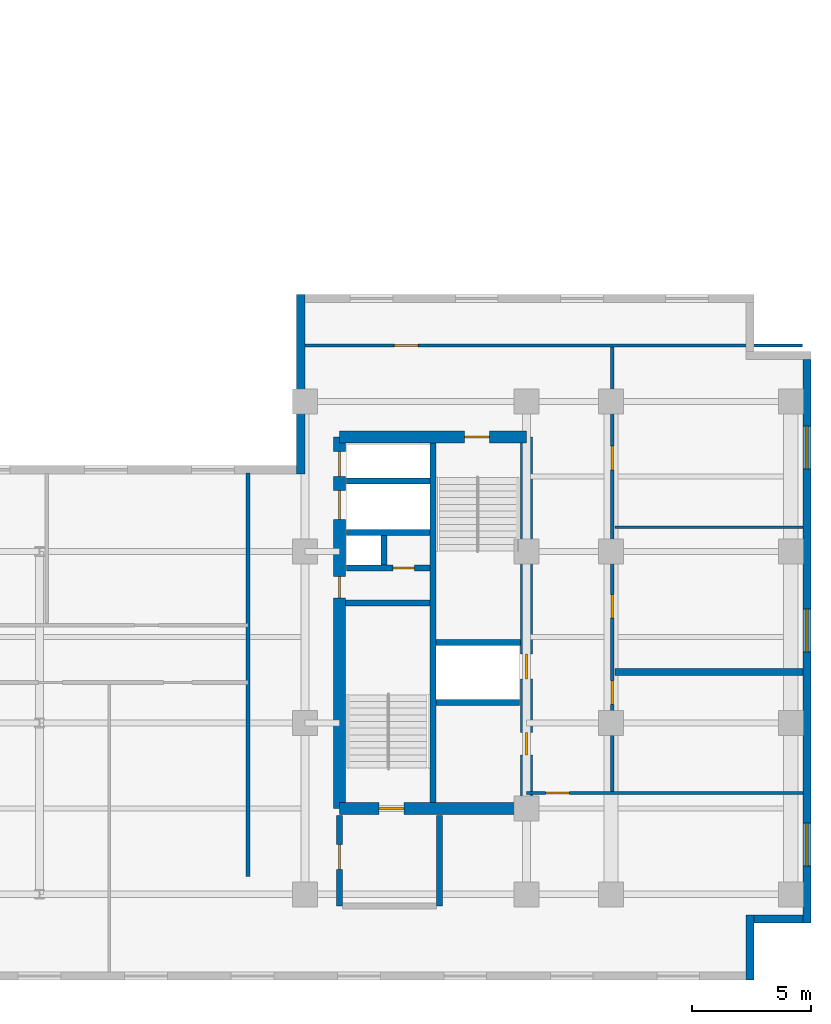
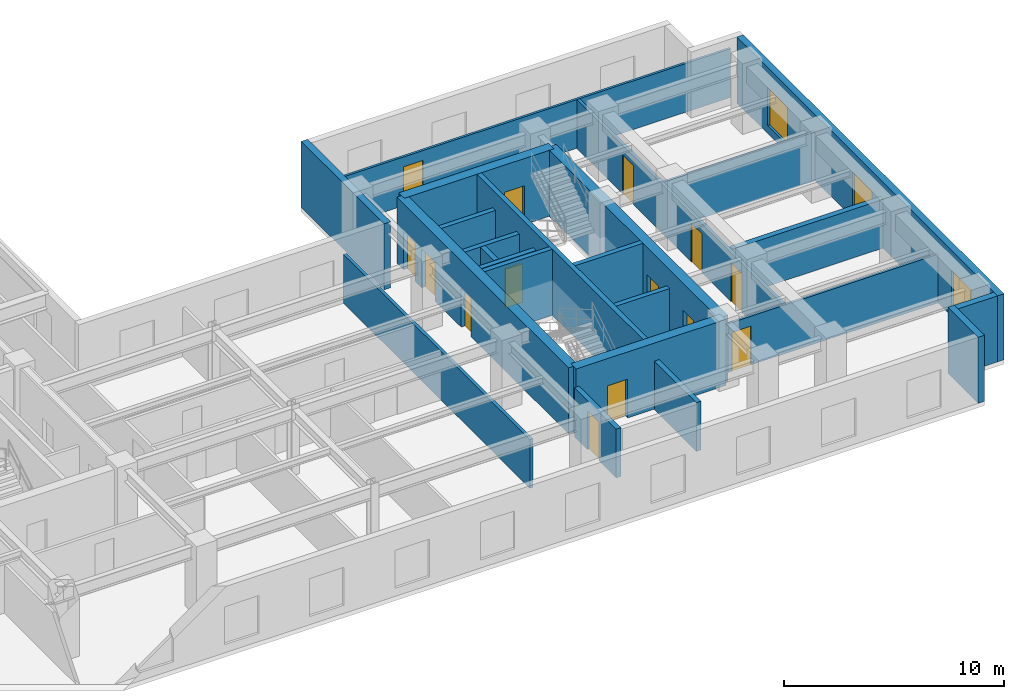
# One storey, part 5 of 10: 24 walls, 14 doors, 3 windows, 17 openings.
"""IFC4 building model written with IfcOpenShell, lengths in metres."""

from ifc_helpers import new_model, entity, si_unit, converted_unit, direction, frame, origin_with_axes, origin_2d_with_axis, place, context, subcontext, project, spatial, polyline, rectangle, outline, extrude, material, layer, layer_set, type_object, element, fill, save


model = new_model("IFC4")

# Units and contexts
model_context = context("Model", 3, precision=1e-05, world=origin_with_axes(), true_north=direction((0.0, 1.0)))
body_context = subcontext(model_context, "Body", "Model", "MODEL_VIEW")
ifc_project = project(units=[si_unit("LENGTHUNIT", "METRE"), si_unit("AREAUNIT", "SQUARE_METRE"), si_unit("VOLUMEUNIT", "CUBIC_METRE"), converted_unit("PLANEANGLEUNIT", "DEGREE", entity("IfcPlaneAngleMeasure", 0.017453292519943295), si_unit("PLANEANGLEUNIT", "RADIAN"), dimensions=[0, 0, 0, 0, 0, 0, 0]), si_unit("MASSUNIT", "GRAM", prefix="KILO"), si_unit("THERMODYNAMICTEMPERATUREUNIT", "KELVIN")], contexts=[model_context])

# Site, building, storey
site_placement = place(None, origin_with_axes())
site = spatial("IfcSite", under=ifc_project, at=site_placement, CompositionType="ELEMENT")
building_placement = place(site_placement, origin_with_axes())
building = spatial("IfcBuilding", under=site, at=building_placement, Name="Varnlund Millrace Tower", CompositionType="ELEMENT")
storey_placement = place(building_placement, frame((0.0, 0.0, 152.4), z_axis=(0.0, 0.0, 1.0), x_axis=(1.0, 0.0, 0.0)))
storey = spatial("IfcBuildingStorey", under=building, at=storey_placement, Name="L37", CompositionType="ELEMENT", Elevation=152.4)

# Wall, openings, doors
ifc_material_1 = material(Name="Concrete C70/85", Category="concrete")
ifc_layer_1 = layer(ifc_material_1, 0.5, Name="Concrete C70/85")
ifc_layer_set_1 = layer_set([ifc_layer_1], Name="Concrete C70/85")
wall_type_1 = type_object("IfcWallType", Name="Type-CoreWall-Shear-500-C70", PredefinedType="SHEAR", material=ifc_layer_set_1)
wall_1_placement = place(storey_placement, frame((40.2, 7.2, 0.0), z_axis=(0.0, 0.0, 1.0), x_axis=(0.0, 1.0, 0.0)))
wall_1 = element("IfcWall", 1, at=wall_1_placement, inside=storey, type_object=wall_type_1, Name="Type-CoreWall-Shear-500-C70", PredefinedType="SHEAR", context=body_context, shape_type="SweptSolid", body=[
    extrude(outline(polyline([(0.0, -0.25), (15.6, -0.25), (15.6, 0.25), (0.0, 0.25), (0.0, -0.25)])), origin_with_axes(), (0.0, 0.0, 1.0), 3.66),
])
opening_1_placement = place(wall_1_placement, frame((14.475, 0.0, 0.0), z_axis=(0.0, 0.0, 1.0), x_axis=(1.0, 0.0, 0.0)))
opening_1 = element("IfcOpeningElement", 2, at=opening_1_placement, cuts=wall_1, Name="Opening L37:LD-ELV-M4", PredefinedType="OPENING", context=body_context, shape_type="SweptSolid", body=[
    extrude(rectangle(XDim=1.05, YDim=0.52, at=origin_2d_with_axis()), origin_with_axes(), (0.0, 0.0, 1.0), 2.15),
])
opening_2_placement = place(wall_1_placement, frame((12.75, 0.0, 0.0), z_axis=(0.0, 0.0, 1.0), x_axis=(1.0, 0.0, 0.0)))
opening_2 = element("IfcOpeningElement", 3, at=opening_2_placement, cuts=wall_1, Name="Opening L37:LD-SRV2", PredefinedType="OPENING", context=body_context, shape_type="SweptSolid", body=[
    extrude(rectangle(XDim=1.2, YDim=0.52, at=origin_2d_with_axis()), origin_with_axes(), (0.0, 0.0, 1.0), 2.15),
])
opening_3_placement = place(wall_1_placement, frame((9.3, 0.0, 0.0), z_axis=(0.0, 0.0, 1.0), x_axis=(1.0, 0.0, 0.0)))
opening_3 = element("IfcOpeningElement", 4, at=opening_3_placement, cuts=wall_1, Name="Opening L37:DR-CB-JAN", PredefinedType="OPENING", context=body_context, shape_type="SweptSolid", body=[
    extrude(rectangle(XDim=0.9, YDim=0.52, at=origin_2d_with_axis()), origin_with_axes(), (0.0, 0.0, 1.0), 2.15),
])
ifc_material_2 = material(Name="Fire-rated hollow steel service closet door", Category="steel")
door_type_1 = type_object("IfcDoorType", Name="Type-FireDoor-Closet-900X2150", OperationType="NOTDEFINED", PredefinedType="DOOR", material=ifc_material_2)
door_1_placement = place(wall_1_placement, frame((9.3, 0.0, 0.0), z_axis=(0.0, 0.0, 1.0), x_axis=(1.0, 0.0, 0.0)))
door_1 = element("IfcDoor", 5, at=door_1_placement, inside=storey, type_object=door_type_1, Name="Type-FireDoor-Closet-900X2150", OperationType="SINGLE_SWING_RIGHT", OverallHeight=2.15, OverallWidth=0.9, PredefinedType="DOOR", context=body_context, shape_type="SweptSolid", body=[
    extrude(rectangle(XDim=0.9, YDim=0.09, at=origin_2d_with_axis()), origin_with_axes(), (0.0, 0.0, 1.0), 2.15),
])
fill(opening_3, door_1)
ifc_material_3 = material(Name="Architectural bronze sliding landing door")
door_type_2 = type_object("IfcDoorType", Name="Type-LiftLandingDoor-Compact-1050X2150", OperationType="NOTDEFINED", PredefinedType="DOOR", material=ifc_material_3)
door_2_placement = place(wall_1_placement, frame((14.475, 0.0, 0.0), z_axis=(0.0, 0.0, 1.0), x_axis=(1.0, 0.0, 0.0)))
door_2 = element("IfcDoor", 6, at=door_2_placement, inside=storey, type_object=door_type_2, Name="Type-LiftLandingDoor-Compact-1050X2150", OperationType="SLIDING_TO_RIGHT", OverallHeight=2.15, OverallWidth=1.05, PredefinedType="DOOR", context=body_context, shape_type="SweptSolid", body=[
    extrude(rectangle(XDim=1.05, YDim=0.09, at=origin_2d_with_axis()), origin_with_axes(), (0.0, 0.0, 1.0), 2.15),
])
fill(opening_1, door_2)
ifc_material_4 = material(Name="Heavy-duty freight sliding landing door")
door_type_3 = type_object("IfcDoorType", Name="Type-LiftLandingDoor-Service-1200X2150", OperationType="NOTDEFINED", PredefinedType="DOOR", material=ifc_material_4)
door_3_placement = place(wall_1_placement, frame((12.75, 0.0, 0.0), z_axis=(0.0, 0.0, 1.0), x_axis=(1.0, 0.0, 0.0)))
door_3 = element("IfcDoor", 7, at=door_3_placement, inside=storey, type_object=door_type_3, Name="Type-LiftLandingDoor-Service-1200X2150", OperationType="DOUBLE_DOOR_SLIDING", OverallHeight=2.15, OverallWidth=1.2, PredefinedType="DOOR", context=body_context, shape_type="SweptSolid", body=[
    extrude(rectangle(XDim=1.2, YDim=0.09, at=origin_2d_with_axis()), origin_with_axes(), (0.0, 0.0, 1.0), 2.15),
])
fill(opening_2, door_3)

# Wall, opening, door
wall_2_placement = place(storey_placement, frame((40.2, 7.2, 0.0), z_axis=(0.0, 0.0, 1.0), x_axis=(1.0, 0.0, 0.0)))
wall_2 = element("IfcWall", 8, at=wall_2_placement, inside=storey, type_object=wall_type_1, Name="Type-CoreWall-Shear-500-C70", PredefinedType="SHEAR", context=body_context, shape_type="SweptSolid", body=[
    extrude(outline(polyline([(0.0, -0.25), (7.85, -0.25), (7.85, 0.25), (0.0, 0.25), (0.0, -0.25)])), origin_with_axes(), (0.0, 0.0, 1.0), 3.66),
])
opening_4_placement = place(wall_2_placement, frame((2.175, 0.0, 0.0), z_axis=(0.0, 0.0, 1.0), x_axis=(1.0, 0.0, 0.0)))
opening_4 = element("IfcOpeningElement", 9, at=opening_4_placement, cuts=wall_2, Name="Opening L37:DR-STB1", PredefinedType="OPENING", context=body_context, shape_type="SweptSolid", body=[
    extrude(rectangle(XDim=1.05, YDim=0.52, at=origin_2d_with_axis()), origin_with_axes(), (0.0, 0.0, 1.0), 2.15),
])
ifc_material_5 = material(Name="Fire-rated hollow steel door", Category="steel")
door_type_4 = type_object("IfcDoorType", Name="Type-FireDoor-Stair-1050X2150", OperationType="NOTDEFINED", PredefinedType="DOOR", material=ifc_material_5)
door_4_placement = place(wall_2_placement, frame((2.175, 0.0, 0.0), z_axis=(0.0, 0.0, 1.0), x_axis=(1.0, 0.0, 0.0)))
door_4 = element("IfcDoor", 10, at=door_4_placement, inside=storey, type_object=door_type_4, Name="Type-FireDoor-Stair-1050X2150", OperationType="SINGLE_SWING_LEFT", OverallHeight=2.15, OverallWidth=1.05, PredefinedType="DOOR", context=body_context, shape_type="SweptSolid", body=[
    extrude(rectangle(XDim=1.05, YDim=0.09, at=origin_2d_with_axis()), origin_with_axes(), (0.0, 0.0, 1.0), 2.15),
])
fill(opening_4, door_4)

wall_3_placement = place(storey_placement, frame((40.2, 22.8, 0.0), z_axis=(0.0, 0.0, 1.0), x_axis=(1.0, 0.0, 0.0)))
wall_3 = element("IfcWall", 11, at=wall_3_placement, inside=storey, type_object=wall_type_1, Name="Type-CoreWall-Shear-500-C70", PredefinedType="SHEAR", context=body_context, shape_type="SweptSolid", body=[
    extrude(outline(polyline([(0.0, -0.25), (7.85, -0.25), (7.85, 0.25), (0.0, 0.25), (0.0, -0.25)])), origin_with_axes(), (0.0, 0.0, 1.0), 3.66),
])
opening_5_placement = place(wall_3_placement, frame((5.775, 0.0, 0.0), z_axis=(0.0, 0.0, 1.0), x_axis=(1.0, 0.0, 0.0)))
opening_5 = element("IfcOpeningElement", 12, at=opening_5_placement, cuts=wall_3, Name="Opening L37:DR-STB2", PredefinedType="OPENING", context=body_context, shape_type="SweptSolid", body=[
    extrude(rectangle(XDim=1.05, YDim=0.52, at=origin_2d_with_axis()), origin_with_axes(), (0.0, 0.0, 1.0), 2.15),
])
door_5_placement = place(wall_3_placement, frame((5.775, 0.0, 0.0), z_axis=(0.0, 0.0, 1.0), x_axis=(1.0, 0.0, 0.0)))
door_5 = element("IfcDoor", 13, at=door_5_placement, inside=storey, type_object=door_type_4, Name="Type-FireDoor-Stair-1050X2150", OperationType="SINGLE_SWING_RIGHT", OverallHeight=2.15, OverallWidth=1.05, PredefinedType="DOOR", context=body_context, shape_type="SweptSolid", body=[
    extrude(rectangle(XDim=1.05, YDim=0.09, at=origin_2d_with_axis()), origin_with_axes(), (0.0, 0.0, 1.0), 2.15),
])
fill(opening_5, door_5)

# Wall, openings, doors
wall_4_placement = place(storey_placement, frame((48.05, 7.2, 0.0), z_axis=(0.0, 0.0, 1.0), x_axis=(0.0, 1.0, 0.0)))
wall_4 = element("IfcWall", 14, at=wall_4_placement, inside=storey, type_object=wall_type_1, Name="Type-CoreWall-Shear-500-C70", PredefinedType="SHEAR", context=body_context, shape_type="SweptSolid", body=[
    extrude(outline(polyline([(0.0, -0.25), (15.6, -0.25), (15.6, 0.25), (0.0, 0.25), (0.0, -0.25)])), origin_with_axes(), (0.0, 0.0, 1.0), 3.66),
])
opening_6_placement = place(wall_4_placement, frame((5.975, 0.0, 0.0), z_axis=(0.0, 0.0, 1.0), x_axis=(1.0, 0.0, 0.0)))
opening_6 = element("IfcOpeningElement", 15, at=opening_6_placement, cuts=wall_4, Name="Opening L37:LD-ELV-M3", PredefinedType="OPENING", context=body_context, shape_type="SweptSolid", body=[
    extrude(rectangle(XDim=1.05, YDim=0.52, at=origin_2d_with_axis()), origin_with_axes(), (0.0, 0.0, 1.0), 2.15),
])
opening_7_placement = place(wall_4_placement, frame((2.725, 0.0, 0.0), z_axis=(0.0, 0.0, 1.0), x_axis=(1.0, 0.0, 0.0)))
opening_7 = element("IfcOpeningElement", 16, at=opening_7_placement, cuts=wall_4, Name="Opening L37:DR-CB-WC", PredefinedType="OPENING", context=body_context, shape_type="SweptSolid", body=[
    extrude(rectangle(XDim=0.95, YDim=0.52, at=origin_2d_with_axis()), origin_with_axes(), (0.0, 0.0, 1.0), 2.15),
])
ifc_material_6 = material(Name="Fire-rated hollow steel core service door", Category="steel")
door_type_5 = type_object("IfcDoorType", Name="Type-FireDoor-Service-950X2150", OperationType="NOTDEFINED", PredefinedType="DOOR", material=ifc_material_6)
door_6_placement = place(wall_4_placement, frame((2.725, 0.0, 0.0), z_axis=(0.0, 0.0, 1.0), x_axis=(1.0, 0.0, 0.0)))
door_6 = element("IfcDoor", 17, at=door_6_placement, inside=storey, type_object=door_type_5, Name="Type-FireDoor-Service-950X2150", OperationType="SINGLE_SWING_LEFT", OverallHeight=2.15, OverallWidth=0.95, PredefinedType="DOOR", context=body_context, shape_type="SweptSolid", body=[
    extrude(rectangle(XDim=0.95, YDim=0.09, at=origin_2d_with_axis()), origin_with_axes(), (0.0, 0.0, 1.0), 2.15),
])
fill(opening_7, door_6)
door_7_placement = place(wall_4_placement, frame((5.975, 0.0, 0.0), z_axis=(0.0, 0.0, 1.0), x_axis=(1.0, 0.0, 0.0)))
door_7 = element("IfcDoor", 18, at=door_7_placement, inside=storey, type_object=door_type_2, Name="Type-LiftLandingDoor-Compact-1050X2150", OperationType="SLIDING_TO_LEFT", OverallHeight=2.15, OverallWidth=1.05, PredefinedType="DOOR", context=body_context, shape_type="SweptSolid", body=[
    extrude(rectangle(XDim=1.05, YDim=0.09, at=origin_2d_with_axis()), origin_with_axes(), (0.0, 0.0, 1.0), 2.15),
])
fill(opening_6, door_7)

# Wall
ifc_material_7 = material(Name="Precast concrete C50/60", Category="concrete")
ifc_layer_2 = layer(ifc_material_7, 0.34, Name="Precast concrete C50/60")
ifc_layer_set_2 = layer_set([ifc_layer_2], Name="Precast concrete C50/60")
wall_type_2 = type_object("IfcWallType", Name="Type-ExtWall-Precast-Upper-340", PredefinedType="SOLIDWALL", material=ifc_layer_set_2)
wall_5_placement = place(storey_placement, frame((38.57, 21.26, 0.0), z_axis=(0.0, 0.0, 1.0), x_axis=(0.0, 1.0, 0.0)))
element("IfcWall", 19, at=wall_5_placement, inside=storey, type_object=wall_type_2, Name="Type-ExtWall-Precast-Upper-340", PredefinedType="SOLIDWALL", context=body_context, shape_type="SweptSolid", body=[
    extrude(outline(polyline([(0.0, -0.17), (7.54, -0.17), (7.54, 0.17), (0.0, 0.17), (0.0, -0.17)])), origin_with_axes(), (0.0, 0.0, 1.0), 3.66),
])

# Wall, openings, windows
wall_6_placement = place(storey_placement, frame((59.83, 26.06, 0.0), z_axis=(0.0, 0.0, 1.0), x_axis=(0.0, -1.0, 0.0)))
wall_6 = element("IfcWall", 20, at=wall_6_placement, inside=storey, type_object=wall_type_2, Name="Type-ExtWall-Precast-Upper-340", PredefinedType="SOLIDWALL", context=body_context, shape_type="SweptSolid", body=[
    extrude(outline(polyline([(0.0, -0.17), (23.66, -0.17), (23.66, 0.17), (0.0, 0.17), (0.0, -0.17)])), origin_with_axes(), (0.0, 0.0, 1.0), 3.66),
])
opening_8_placement = place(wall_6_placement, frame((3.696, 0.0, 0.45), z_axis=(0.0, 0.0, 1.0), x_axis=(1.0, 0.0, 0.0)))
opening_8 = element("IfcOpeningElement", 21, at=opening_8_placement, cuts=wall_6, Name="Opening L37:WN-05", PredefinedType="OPENING", context=body_context, shape_type="SweptSolid", body=[
    extrude(rectangle(XDim=1.8, YDim=0.36, at=origin_2d_with_axis()), origin_with_axes(), (0.0, 0.0, 1.0), 2.1),
])
opening_9_placement = place(wall_6_placement, frame((11.38, 0.0, 0.45), z_axis=(0.0, 0.0, 1.0), x_axis=(1.0, 0.0, 0.0)))
opening_9 = element("IfcOpeningElement", 22, at=opening_9_placement, cuts=wall_6, Name="Opening L37:WN-06", PredefinedType="OPENING", context=body_context, shape_type="SweptSolid", body=[
    extrude(rectangle(XDim=1.8, YDim=0.36, at=origin_2d_with_axis()), origin_with_axes(), (0.0, 0.0, 1.0), 2.1),
])
opening_10_placement = place(wall_6_placement, frame((20.364, 0.0, 0.45), z_axis=(0.0, 0.0, 1.0), x_axis=(1.0, 0.0, 0.0)))
opening_10 = element("IfcOpeningElement", 23, at=opening_10_placement, cuts=wall_6, Name="Opening L37:WN-07", PredefinedType="OPENING", context=body_context, shape_type="SweptSolid", body=[
    extrude(rectangle(XDim=1.8, YDim=0.36, at=origin_2d_with_axis()), origin_with_axes(), (0.0, 0.0, 1.0), 2.1),
])
ifc_material_8 = material(Name="Argon low-e triple glazing in thermally broken bronze frame", Category="glass")
window_type = type_object("IfcWindowType", Name="Type-Window-Punched-1800X2100", PartitioningType="SINGLE_PANEL", PredefinedType="WINDOW", material=ifc_material_8)
window_1_placement = place(wall_6_placement, frame((3.696, 0.0, 0.45), z_axis=(0.0, 0.0, 1.0), x_axis=(1.0, 0.0, 0.0)))
window_1 = element("IfcWindow", 24, at=window_1_placement, inside=storey, type_object=window_type, Name="Type-Window-Punched-1800X2100", OverallHeight=2.1, OverallWidth=1.8, PredefinedType="WINDOW", context=body_context, shape_type="SweptSolid", body=[
    extrude(rectangle(XDim=1.8, YDim=0.09, at=origin_2d_with_axis()), origin_with_axes(), (0.0, 0.0, 1.0), 2.1),
])
fill(opening_8, window_1)
window_2_placement = place(wall_6_placement, frame((11.38, 0.0, 0.45), z_axis=(0.0, 0.0, 1.0), x_axis=(1.0, 0.0, 0.0)))
window_2 = element("IfcWindow", 25, at=window_2_placement, inside=storey, type_object=window_type, Name="Type-Window-Punched-1800X2100", OverallHeight=2.1, OverallWidth=1.8, PredefinedType="WINDOW", context=body_context, shape_type="SweptSolid", body=[
    extrude(rectangle(XDim=1.8, YDim=0.09, at=origin_2d_with_axis()), origin_with_axes(), (0.0, 0.0, 1.0), 2.1),
])
fill(opening_9, window_2)
window_3_placement = place(wall_6_placement, frame((20.364, 0.0, 0.45), z_axis=(0.0, 0.0, 1.0), x_axis=(1.0, 0.0, 0.0)))
window_3 = element("IfcWindow", 26, at=window_3_placement, inside=storey, type_object=window_type, Name="Type-Window-Punched-1800X2100", OverallHeight=2.1, OverallWidth=1.8, PredefinedType="WINDOW", context=body_context, shape_type="SweptSolid", body=[
    extrude(rectangle(XDim=1.8, YDim=0.09, at=origin_2d_with_axis()), origin_with_axes(), (0.0, 0.0, 1.0), 2.1),
])
fill(opening_10, window_3)

# Walls
wall_7_placement = place(storey_placement, frame((59.66, 2.57, 0.0), z_axis=(0.0, 0.0, 1.0), x_axis=(-1.0, 0.0, 0.0)))
element("IfcWall", 27, at=wall_7_placement, inside=storey, type_object=wall_type_2, Name="Type-ExtWall-Precast-Upper-340", PredefinedType="SOLIDWALL", context=body_context, shape_type="SweptSolid", body=[
    extrude(outline(polyline([(0.0, -0.17), (2.06, -0.17), (2.06, 0.17), (0.0, 0.17), (0.0, -0.17)])), origin_with_axes(), (0.0, 0.0, 1.0), 3.66),
])
wall_8_placement = place(storey_placement, frame((57.43, 2.74, 0.0), z_axis=(0.0, 0.0, 1.0), x_axis=(0.0, -1.0, 0.0)))
element("IfcWall", 28, at=wall_8_placement, inside=storey, type_object=wall_type_2, Name="Type-ExtWall-Precast-Upper-340", PredefinedType="SOLIDWALL", context=body_context, shape_type="SweptSolid", body=[
    extrude(outline(polyline([(0.0, -0.17), (2.74, -0.17), (2.74, 0.17), (0.0, 0.17), (0.0, -0.17)])), origin_with_axes(), (0.0, 0.0, 1.0), 3.66),
])
ifc_material_9 = material(Name="Double-stud STC-60 conference acoustic partition", Category="gypsum")
ifc_layer_3 = layer(ifc_material_9, 0.28, Name="Double-stud STC-60 conference acoustic partition")
ifc_layer_set_3 = layer_set([ifc_layer_3], Name="Double-stud STC-60 conference acoustic partition")
wall_type_3 = type_object("IfcWallType", Name="Type-Partition-Acoustic-280", PredefinedType="PARTITIONING", material=ifc_layer_set_3)
wall_9_placement = place(storey_placement, frame((51.77, 12.934, 0.0), z_axis=(0.0, 0.0, 1.0), x_axis=(1.0, 0.0, 0.0)))
element("IfcWall", 29, at=wall_9_placement, inside=storey, type_object=wall_type_3, Name="Type-Partition-Acoustic-280", PredefinedType="PARTITIONING", context=body_context, shape_type="SweptSolid", body=[
    extrude(outline(polyline([(0.0, -0.14), (7.895, -0.14), (7.895, 0.14), (0.0, 0.14), (0.0, -0.14)])), origin_with_axes(), (0.0, 0.0, 1.0), 2.7),
])
ifc_material_10 = material(Name="Fire-rated gypsum board on cold-formed steel framing", Category="steel")
ifc_layer_4 = layer(ifc_material_10, 0.16, Name="Fire-rated gypsum board on cold-formed steel framing")
ifc_layer_set_4 = layer_set([ifc_layer_4], Name="Fire-rated gypsum board on cold-formed steel framing")
wall_type_4 = type_object("IfcWallType", Name="Type-Partition-Corridor-160", PredefinedType="PARTITIONING", material=ifc_layer_set_4)
wall_10_placement = place(storey_placement, frame((36.35, 4.35, 0.0), z_axis=(0.0, 0.0, 1.0), x_axis=(0.0, 1.0, 0.0)))
element("IfcWall", 30, at=wall_10_placement, inside=storey, type_object=wall_type_4, Name="Type-Partition-Corridor-160", PredefinedType="PARTITIONING", context=body_context, shape_type="SweptSolid", body=[
    extrude(outline(polyline([(0.0, -0.08), (16.95, -0.08), (16.95, 0.08), (0.0, 0.08), (0.0, -0.08)])), origin_with_axes(), (0.0, 0.0, 1.0), 2.7),
])

# Wall, openings, doors
wall_11_placement = place(storey_placement, frame((51.65, 7.85, 0.0), z_axis=(0.0, 0.0, 1.0), x_axis=(0.0, 1.0, 0.0)))
wall_11 = element("IfcWall", 31, at=wall_11_placement, inside=storey, type_object=wall_type_4, Name="Type-Partition-Corridor-160", PredefinedType="PARTITIONING", context=body_context, shape_type="SweptSolid", body=[
    extrude(outline(polyline([(0.0, -0.08), (18.8, -0.08), (18.8, 0.08), (0.0, 0.08), (0.0, -0.08)])), origin_with_axes(), (0.0, 0.0, 1.0), 2.7),
])
opening_11_placement = place(wall_11_placement, frame((4.222, 0.0, 0.0), z_axis=(0.0, 0.0, 1.0), x_axis=(1.0, 0.0, 0.0)))
opening_11 = element("IfcOpeningElement", 32, at=opening_11_placement, cuts=wall_11, Name="Opening L37:DR-WB-01", PredefinedType="OPENING", context=body_context, shape_type="SweptSolid", body=[
    extrude(rectangle(XDim=1.0, YDim=0.18, at=origin_2d_with_axis()), origin_with_axes(), (0.0, 0.0, 1.0), 2.15),
])
opening_12_placement = place(wall_11_placement, frame((7.845, 0.0, 0.0), z_axis=(0.0, 0.0, 1.0), x_axis=(1.0, 0.0, 0.0)))
opening_12 = element("IfcOpeningElement", 33, at=opening_12_placement, cuts=wall_11, Name="Opening L37:DR-WB-02", PredefinedType="OPENING", context=body_context, shape_type="SweptSolid", body=[
    extrude(rectangle(XDim=1.0, YDim=0.18, at=origin_2d_with_axis()), origin_with_axes(), (0.0, 0.0, 1.0), 2.15),
])
opening_13_placement = place(wall_11_placement, frame((14.072, 0.0, 0.0), z_axis=(0.0, 0.0, 1.0), x_axis=(1.0, 0.0, 0.0)))
opening_13 = element("IfcOpeningElement", 34, at=opening_13_placement, cuts=wall_11, Name="Opening L37:DR-WB-03", PredefinedType="OPENING", context=body_context, shape_type="SweptSolid", body=[
    extrude(rectangle(XDim=1.0, YDim=0.18, at=origin_2d_with_axis()), origin_with_axes(), (0.0, 0.0, 1.0), 2.15),
])
ifc_material_11 = material(Name="Solid-core white oak and bronze frame door")
door_type_6 = type_object("IfcDoorType", Name="Type-IntDoor-Office-1000X2150", OperationType="NOTDEFINED", PredefinedType="DOOR", material=ifc_material_11)
door_8_placement = place(wall_11_placement, frame((4.222, 0.0, 0.0), z_axis=(0.0, 0.0, 1.0), x_axis=(1.0, 0.0, 0.0)))
door_8 = element("IfcDoor", 35, at=door_8_placement, inside=storey, type_object=door_type_6, Name="Type-IntDoor-Office-1000X2150", OperationType="SINGLE_SWING_LEFT", OverallHeight=2.15, OverallWidth=1.0, PredefinedType="DOOR", context=body_context, shape_type="SweptSolid", body=[
    extrude(rectangle(XDim=1.0, YDim=0.09, at=origin_2d_with_axis()), origin_with_axes(), (0.0, 0.0, 1.0), 2.15),
])
fill(opening_11, door_8)
door_9_placement = place(wall_11_placement, frame((7.845, 0.0, 0.0), z_axis=(0.0, 0.0, 1.0), x_axis=(1.0, 0.0, 0.0)))
door_9 = element("IfcDoor", 36, at=door_9_placement, inside=storey, type_object=door_type_6, Name="Type-IntDoor-Office-1000X2150", OperationType="SINGLE_SWING_RIGHT", OverallHeight=2.15, OverallWidth=1.0, PredefinedType="DOOR", context=body_context, shape_type="SweptSolid", body=[
    extrude(rectangle(XDim=1.0, YDim=0.09, at=origin_2d_with_axis()), origin_with_axes(), (0.0, 0.0, 1.0), 2.15),
])
fill(opening_12, door_9)
door_10_placement = place(wall_11_placement, frame((14.072, 0.0, 0.0), z_axis=(0.0, 0.0, 1.0), x_axis=(1.0, 0.0, 0.0)))
door_10 = element("IfcDoor", 37, at=door_10_placement, inside=storey, type_object=door_type_6, Name="Type-IntDoor-Office-1000X2150", OperationType="SINGLE_SWING_LEFT", OverallHeight=2.15, OverallWidth=1.0, PredefinedType="DOOR", context=body_context, shape_type="SweptSolid", body=[
    extrude(rectangle(XDim=1.0, YDim=0.09, at=origin_2d_with_axis()), origin_with_axes(), (0.0, 0.0, 1.0), 2.15),
])
fill(opening_13, door_10)

# Wall, opening, door
ifc_material_12 = material(Name="Gypsum board tenant partition", Category="gypsum")
ifc_layer_5 = layer(ifc_material_12, 0.125, Name="Gypsum board tenant partition")
ifc_layer_set_5 = layer_set([ifc_layer_5], Name="Gypsum board tenant partition")
wall_type_5 = type_object("IfcWallType", Name="Type-Partition-Tenant-125", PredefinedType="PARTITIONING", material=ifc_layer_set_5)
wall_12_placement = place(storey_placement, frame((59.665, 7.85, 0.0), z_axis=(0.0, 0.0, 1.0), x_axis=(-1.0, 0.0, 0.0)))
wall_12 = element("IfcWall", 38, at=wall_12_placement, inside=storey, type_object=wall_type_5, Name="Type-Partition-Tenant-125", PredefinedType="PARTITIONING", context=body_context, shape_type="SweptSolid", body=[
    extrude(outline(polyline([(0.0, -0.0625), (11.615, -0.0625), (11.615, 0.0625), (0.0, 0.0625), (0.0, -0.0625)])), origin_with_axes(), (0.0, 0.0, 1.0), 2.7),
])
opening_14_placement = place(wall_12_placement, frame((10.315, 0.0, 0.0), z_axis=(0.0, 0.0, 1.0), x_axis=(1.0, 0.0, 0.0)))
opening_14 = element("IfcOpeningElement", 39, at=opening_14_placement, cuts=wall_12, Name="Opening L37:DR-WBS-01", PredefinedType="OPENING", context=body_context, shape_type="SweptSolid", body=[
    extrude(rectangle(XDim=1.0, YDim=0.145, at=origin_2d_with_axis()), origin_with_axes(), (0.0, 0.0, 1.0), 2.15),
])
door_11_placement = place(wall_12_placement, frame((10.315, 0.0, 0.0), z_axis=(0.0, 0.0, 1.0), x_axis=(1.0, 0.0, 0.0)))
door_11 = element("IfcDoor", 40, at=door_11_placement, inside=storey, type_object=door_type_6, Name="Type-IntDoor-Office-1000X2150", OperationType="SINGLE_SWING_LEFT", OverallHeight=2.15, OverallWidth=1.0, PredefinedType="DOOR", context=body_context, shape_type="SweptSolid", body=[
    extrude(rectangle(XDim=1.0, YDim=0.075, at=origin_2d_with_axis()), origin_with_axes(), (0.0, 0.0, 1.0), 2.15),
])
fill(opening_14, door_11)

wall_13_placement = place(storey_placement, frame((38.735, 26.65, 0.0), z_axis=(0.0, 0.0, 1.0), x_axis=(1.0, 0.0, 0.0)))
wall_13 = element("IfcWall", 41, at=wall_13_placement, inside=storey, type_object=wall_type_5, Name="Type-Partition-Tenant-125", PredefinedType="PARTITIONING", context=body_context, shape_type="SweptSolid", body=[
    extrude(outline(polyline([(0.0, -0.0625), (20.905, -0.0625), (20.905, 0.0625), (0.0, 0.0625), (0.0, -0.0625)])), origin_with_axes(), (0.0, 0.0, 1.0), 2.7),
])
opening_15_placement = place(wall_13_placement, frame((4.265, 0.0, 0.0), z_axis=(0.0, 0.0, 1.0), x_axis=(1.0, 0.0, 0.0)))
opening_15 = element("IfcOpeningElement", 42, at=opening_15_placement, cuts=wall_13, Name="Opening L37:DR-WBN-01", PredefinedType="OPENING", context=body_context, shape_type="SweptSolid", body=[
    extrude(rectangle(XDim=1.0, YDim=0.145, at=origin_2d_with_axis()), origin_with_axes(), (0.0, 0.0, 1.0), 2.15),
])
door_12_placement = place(wall_13_placement, frame((4.265, 0.0, 0.0), z_axis=(0.0, 0.0, 1.0), x_axis=(1.0, 0.0, 0.0)))
door_12 = element("IfcDoor", 43, at=door_12_placement, inside=storey, type_object=door_type_6, Name="Type-IntDoor-Office-1000X2150", OperationType="SINGLE_SWING_RIGHT", OverallHeight=2.15, OverallWidth=1.0, PredefinedType="DOOR", context=body_context, shape_type="SweptSolid", body=[
    extrude(rectangle(XDim=1.0, YDim=0.075, at=origin_2d_with_axis()), origin_with_axes(), (0.0, 0.0, 1.0), 2.15),
])
fill(opening_15, door_12)

# Wall
wall_14_placement = place(storey_placement, frame((51.77, 19.015, 0.0), z_axis=(0.0, 0.0, 1.0), x_axis=(1.0, 0.0, 0.0)))
element("IfcWall", 44, at=wall_14_placement, inside=storey, type_object=wall_type_5, Name="Type-Partition-Tenant-125", PredefinedType="PARTITIONING", context=body_context, shape_type="SweptSolid", body=[
    extrude(outline(polyline([(0.0, -0.0625), (7.895, -0.0625), (7.895, 0.0625), (0.0, 0.0625), (0.0, -0.0625)])), origin_with_axes(), (0.0, 0.0, 1.0), 2.7),
])

# Wall, opening, door
ifc_material_13 = material(Name="Concrete C60/75", Category="concrete")
ifc_layer_6 = layer(ifc_material_13, 0.25, Name="Concrete C60/75")
ifc_layer_set_6 = layer_set([ifc_layer_6], Name="Concrete C60/75")
wall_type_6 = type_object("IfcWallType", Name="Type-ShaftWall-Fire-250", PredefinedType="SOLIDWALL", material=ifc_layer_set_6)
wall_15_placement = place(storey_placement, frame((40.5, 17.3, 0.0), z_axis=(0.0, 0.0, 1.0), x_axis=(1.0, 0.0, 0.0)))
wall_15 = element("IfcWall", 45, at=wall_15_placement, inside=storey, type_object=wall_type_6, Name="Type-ShaftWall-Fire-250", PredefinedType="SOLIDWALL", context=body_context, shape_type="SweptSolid", body=[
    extrude(outline(polyline([(0.0, -0.125), (3.5, -0.125), (3.5, 0.125), (0.0, 0.125), (0.0, -0.125)])), origin_with_axes(), (0.0, 0.0, 1.0), 2.7),
])
opening_16_placement = place(wall_15_placement, frame((2.4, 0.0, 0.0), z_axis=(0.0, 0.0, 1.0), x_axis=(1.0, 0.0, 0.0)))
opening_16 = element("IfcOpeningElement", 46, at=opening_16_placement, cuts=wall_15, Name="Opening L37:DR-CB-ELC", PredefinedType="OPENING", context=body_context, shape_type="SweptSolid", body=[
    extrude(rectangle(XDim=0.9, YDim=0.27, at=origin_2d_with_axis()), origin_with_axes(), (0.0, 0.0, 1.0), 2.15),
])
door_13_placement = place(wall_15_placement, frame((2.4, 0.0, 0.0), z_axis=(0.0, 0.0, 1.0), x_axis=(1.0, 0.0, 0.0)))
door_13 = element("IfcDoor", 47, at=door_13_placement, inside=storey, type_object=door_type_1, Name="Type-FireDoor-Closet-900X2150", OperationType="SINGLE_SWING_LEFT", OverallHeight=2.15, OverallWidth=0.9, PredefinedType="DOOR", context=body_context, shape_type="SweptSolid", body=[
    extrude(rectangle(XDim=0.9, YDim=0.09, at=origin_2d_with_axis()), origin_with_axes(), (0.0, 0.0, 1.0), 2.15),
])
fill(opening_16, door_13)

# Walls
wall_16_placement = place(storey_placement, frame((40.5, 18.8, 0.0), z_axis=(0.0, 0.0, 1.0), x_axis=(1.0, 0.0, 0.0)))
element("IfcWall", 48, at=wall_16_placement, inside=storey, type_object=wall_type_6, Name="Type-ShaftWall-Fire-250", PredefinedType="SOLIDWALL", context=body_context, shape_type="SweptSolid", body=[
    extrude(outline(polyline([(0.0, -0.125), (3.5, -0.125), (3.5, 0.125), (0.0, 0.125), (0.0, -0.125)])), origin_with_axes(), (0.0, 0.0, 1.0), 2.7),
])
wall_17_placement = place(storey_placement, frame((42.075, 17.43, 0.0), z_axis=(0.0, 0.0, 1.0), x_axis=(0.0, 1.0, 0.0)))
element("IfcWall", 49, at=wall_17_placement, inside=storey, type_object=wall_type_6, Name="Type-ShaftWall-Fire-250", PredefinedType="SOLIDWALL", context=body_context, shape_type="SweptSolid", body=[
    extrude(outline(polyline([(0.0, -0.125), (1.24, -0.125), (1.24, 0.125), (0.0, 0.125), (0.0, -0.125)])), origin_with_axes(), (0.0, 0.0, 1.0), 2.7),
])

# Wall, opening, door
wall_18_placement = place(storey_placement, frame((40.2, 3.1, 0.0), z_axis=(0.0, 0.0, 1.0), x_axis=(0.0, 1.0, 0.0)))
wall_18 = element("IfcWall", 50, at=wall_18_placement, inside=storey, type_object=wall_type_6, Name="Type-ShaftWall-Fire-250", PredefinedType="SOLIDWALL", context=body_context, shape_type="SweptSolid", body=[
    extrude(outline(polyline([(0.0, -0.125), (3.8, -0.125), (3.8, 0.125), (0.0, 0.125), (0.0, -0.125)])), origin_with_axes(), (0.0, 0.0, 1.0), 2.7),
])
opening_17_placement = place(wall_18_placement, frame((2.075, 0.0, 0.0), z_axis=(0.0, 0.0, 1.0), x_axis=(1.0, 0.0, 0.0)))
opening_17 = element("IfcOpeningElement", 51, at=opening_17_placement, cuts=wall_18, Name="Opening L37:DR-FFLOB-B", PredefinedType="OPENING", context=body_context, shape_type="SweptSolid", body=[
    extrude(rectangle(XDim=1.05, YDim=0.27, at=origin_2d_with_axis()), origin_with_axes(), (0.0, 0.0, 1.0), 2.15),
])
ifc_material_14 = material(Name="Smoke-barrier hollow steel fire door", Category="steel")
door_type_7 = type_object("IfcDoorType", Name="Type-FireDoor-Lobby-1050X2150", OperationType="NOTDEFINED", PredefinedType="DOOR", material=ifc_material_14)
door_14_placement = place(wall_18_placement, frame((2.075, 0.0, 0.0), z_axis=(0.0, 0.0, 1.0), x_axis=(1.0, 0.0, 0.0)))
door_14 = element("IfcDoor", 52, at=door_14_placement, inside=storey, type_object=door_type_7, Name="Type-FireDoor-Lobby-1050X2150", OperationType="SINGLE_SWING_LEFT", OverallHeight=2.15, OverallWidth=1.05, PredefinedType="DOOR", context=body_context, shape_type="SweptSolid", body=[
    extrude(rectangle(XDim=1.05, YDim=0.09, at=origin_2d_with_axis()), origin_with_axes(), (0.0, 0.0, 1.0), 2.15),
])
fill(opening_17, door_14)

# Walls
wall_19_placement = place(storey_placement, frame((44.4, 3.1, 0.0), z_axis=(0.0, 0.0, 1.0), x_axis=(0.0, 1.0, 0.0)))
element("IfcWall", 53, at=wall_19_placement, inside=storey, type_object=wall_type_6, Name="Type-ShaftWall-Fire-250", PredefinedType="SOLIDWALL", context=body_context, shape_type="SweptSolid", body=[
    extrude(outline(polyline([(0.0, -0.125), (3.8, -0.125), (3.8, 0.125), (0.0, 0.125), (0.0, -0.125)])), origin_with_axes(), (0.0, 0.0, 1.0), 2.7),
])
for number, where, z_axis, x_axis, name in (
    (54, (40.5, 20.96, 0.0), (0.0, 0.0, 1.0), (1.0, 0.0, 0.0), "Type-ShaftWall-Fire-250"),
    (55, (44.25, 11.66, 0.0), (0.0, 0.0, 1.0), (1.0, 0.0, 0.0), "Type-ShaftWall-Fire-250"),
):
    element("IfcWall", number, at=place(storey_placement, frame(where, z_axis=z_axis, x_axis=x_axis)), inside=storey, type_object=wall_type_6, Name=name, PredefinedType="SOLIDWALL", context=body_context, shape_type="SweptSolid", body=[
        extrude(outline(polyline([(0.0, -0.125), (3.5, -0.125), (3.5, 0.125), (0.0, 0.125), (0.0, -0.125)])), origin_with_axes(), (0.0, 0.0, 1.0), 2.7),
    ])
wall_type_7 = type_object("IfcWallType", Name="Type-StairWall-Shear-250", PredefinedType="SHEAR", material=ifc_layer_set_6)
wall_20_placement = place(storey_placement, frame((44.125, 7.45, 0.0), z_axis=(0.0, 0.0, 1.0), x_axis=(0.0, 1.0, 0.0)))
element("IfcWall", 56, at=wall_20_placement, inside=storey, type_object=wall_type_7, Name="Type-StairWall-Shear-250", PredefinedType="SHEAR", context=body_context, shape_type="SweptSolid", body=[
    extrude(outline(polyline([(0.0, -0.125), (15.1, -0.125), (15.1, 0.125), (0.0, 0.125), (0.0, -0.125)])), origin_with_axes(), (0.0, 0.0, 1.0), 3.66),
])
for number, where, z_axis, x_axis, name in (
    (57, (40.45, 15.825, 0.0), (0.0, 0.0, 1.0), (1.0, 0.0, 0.0), "Type-StairWall-Shear-250"),
    (58, (44.25, 14.175, 0.0), (0.0, 0.0, 1.0), (1.0, 0.0, 0.0), "Type-StairWall-Shear-250"),
):
    element("IfcWall", number, at=place(storey_placement, frame(where, z_axis=z_axis, x_axis=x_axis)), inside=storey, type_object=wall_type_7, Name=name, PredefinedType="SHEAR", context=body_context, shape_type="SweptSolid", body=[
        extrude(outline(polyline([(0.0, -0.125), (3.55, -0.125), (3.55, 0.125), (0.0, 0.125), (0.0, -0.125)])), origin_with_axes(), (0.0, 0.0, 1.0), 3.66),
    ])

save(model, "model.ifc")
